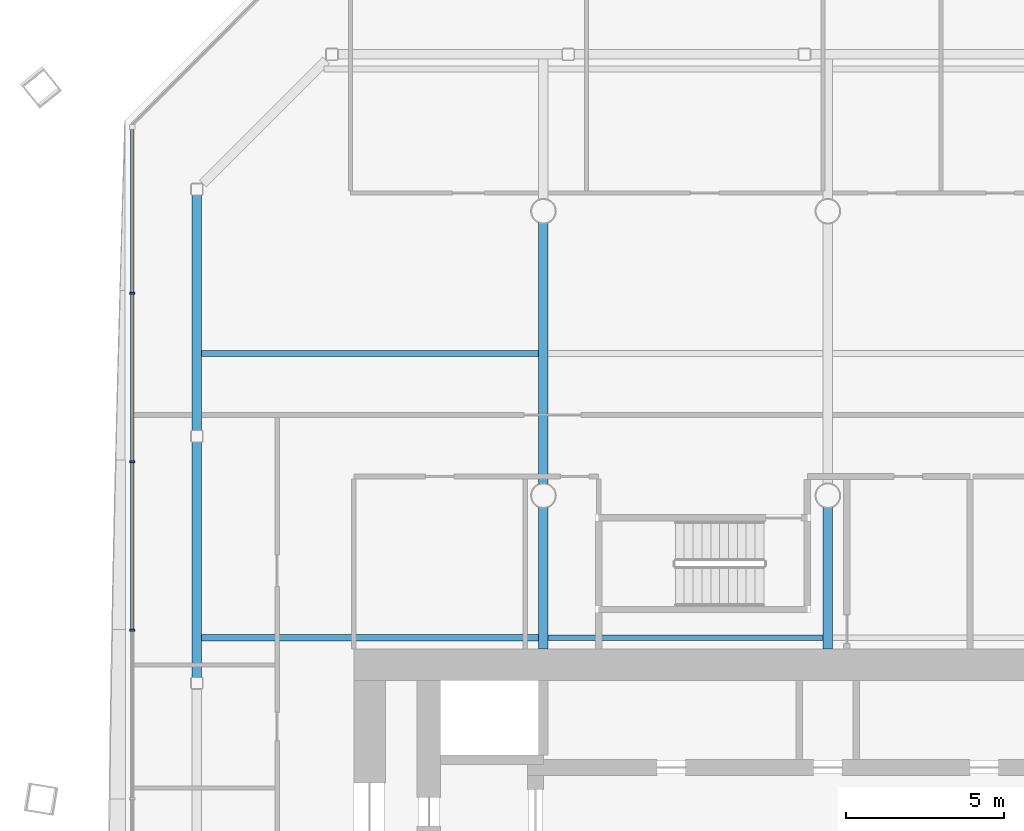
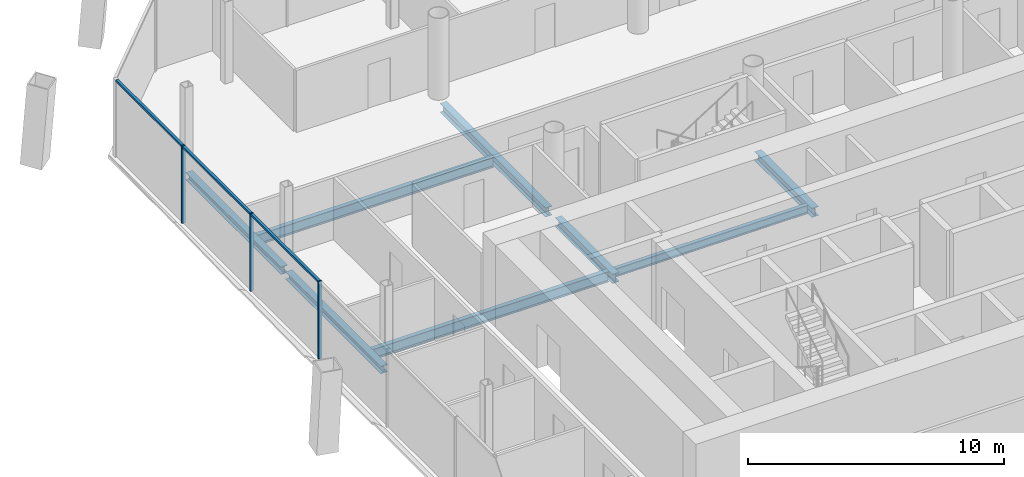
# One storey, part 6 of 19: 8 beams, 6 members, 1 element without a shape of its own.
"""IFC4 building model written with IfcOpenShell, lengths in metres."""

import ifcopenshell
import ifcopenshell.guid

model = None  # the IFC model being written
_history = None  # IfcOwnerHistory: only IFC2X3 demands one
_inside = {}  # id of a spatial element -> (the spatial element, [elements in it])
_under = {}  # id of a project, library or spatial element -> (it, [spatial elements below it])
_declared = {}  # id of a project -> (the project, [libraries it declares])
_typed = {}  # id of a type object -> (the type object, [elements of that type])
_made_of = {}  # id of a material, layer set ... -> (it, [elements and type objects made of it])


def new_model(schema):
    """Start an empty IFC model of exactly this schema.

    Asked for "IFC4X3", IfcOpenShell would pick the latest addendum, in which some entities
    have other attributes; the version numbers below select the first issue.
    IFC2X3 requires an IfcOwnerHistory on every rooted entity: one is made here for all.
    """
    global model, _history
    if schema == "IFC4X3":
        model = ifcopenshell.file(schema_version=(4, 3, 0, 0))
    else:
        model = ifcopenshell.file(schema=schema)
    _inside.clear()
    _under.clear()
    _declared.clear()
    _typed.clear()
    _made_of.clear()
    _history = None
    if model.schema == "IFC2X3":
        org = make("IfcOrganization", Name="unknown")
        user = make(
            "IfcPersonAndOrganization",
            ThePerson=make("IfcPerson", FamilyName="unknown"),
            TheOrganization=org,
        )
        app = make(
            "IfcApplication",
            ApplicationDeveloper=org,
            Version="unknown",
            ApplicationFullName="unknown",
            ApplicationIdentifier="unknown",
        )
        _history = make(
            "IfcOwnerHistory",
            OwningUser=user,
            OwningApplication=app,
            ChangeAction="ADDED",
            CreationDate=0,
        )
    return model


def make(cls, **values):
    """One entity of the class cls with the attributes given. An attribute that is None is left unset."""
    return model.create_entity(
        cls, **{name: value for name, value in values.items() if value is not None}
    )


def rooted(cls, **values):
    """An entity with a GlobalId (a new one), such as an element, a storey or a relation."""
    return make(cls, GlobalId=ifcopenshell.guid.new(), OwnerHistory=_history, **values)


def si_unit(unit_type, name, prefix=None):
    """IfcSIUnit, for example si_unit("LENGTHUNIT", "METRE", prefix="MILLI")."""
    return make("IfcSIUnit", UnitType=unit_type, Prefix=prefix, Name=name)


def assignment(units):
    """IfcUnitAssignment: the units of a project."""
    return None if units is None else make("IfcUnitAssignment", Units=units)


def point(xyz):
    """IfcCartesianPoint."""
    return None if xyz is None else make("IfcCartesianPoint", Coordinates=xyz)


def direction(xyz):
    """IfcDirection."""
    return None if xyz is None else make("IfcDirection", DirectionRatios=xyz)


def frame(location, z_axis=None, x_axis=None):
    """IfcAxis2Placement3D, a coordinate frame: its origin and axes. An axis left out is left unset."""
    return make(
        "IfcAxis2Placement3D",
        Location=point(location),
        Axis=direction(z_axis),
        RefDirection=direction(x_axis),
    )


def frame_2d(location, x_axis=None):
    """IfcAxis2Placement2D, a coordinate frame in the plane: its origin and x axis."""
    return make(
        "IfcAxis2Placement2D", Location=point(location), RefDirection=direction(x_axis)
    )


def origin():
    """The frame at (0, 0, 0) with its axes left unset."""
    return frame((0.0, 0.0, 0.0))


def origin_2d():
    """The frame at (0, 0) in the plane with its x axis left unset."""
    return frame_2d((0.0, 0.0))


def place(relative_to, where):
    """IfcLocalPlacement: puts the frame where relative to a parent placement (None: the world)."""
    return make(
        "IfcLocalPlacement", PlacementRelTo=relative_to, RelativePlacement=where
    )


def context(
    kind, dimensions, precision=None, world=None, true_north=None, identifier=None
):
    """IfcGeometricRepresentationContext, for example the 3D "Model" context."""
    return make(
        "IfcGeometricRepresentationContext",
        ContextIdentifier=identifier,
        ContextType=kind,
        CoordinateSpaceDimension=dimensions,
        Precision=precision,
        WorldCoordinateSystem=world,
        TrueNorth=true_north,
    )


def subcontext(parent, identifier, kind, view, scale=None):
    """IfcGeometricRepresentationSubContext, for example "Body" below "Model"."""
    return make(
        "IfcGeometricRepresentationSubContext",
        ContextIdentifier=identifier,
        ContextType=kind,
        ParentContext=parent,
        TargetScale=scale,
        TargetView=view,
    )


def project(units=None, contexts=None):
    """IfcProject with its units and contexts."""
    return rooted(
        "IfcProject",
        Name="project",
        RepresentationContexts=contexts,
        UnitsInContext=assignment(units),
    )


def spatial(cls, under=None, at=None, **own):
    """A site, building, storey or space (cls), placed at a placement, below another one or the project."""
    s = rooted(cls, ObjectPlacement=at, **own)
    if under is not None:
        _under.setdefault(under.id(), (under, []))[1].append(s)
    return s


def profile(cls, at=None, kind="AREA", **sizes):
    """A parametric profile (cls). Its sizes go by their IFC names, for example OverallWidth=200.0."""
    return make(cls, ProfileType=kind, Position=at, **sizes)


def rectangle(**sizes):
    """IfcRectangleProfileDef."""
    return profile("IfcRectangleProfileDef", **sizes)


def i_section(**sizes):
    """IfcIShapeProfileDef."""
    return profile("IfcIShapeProfileDef", **sizes)


def extrude(swept, where, along, depth):
    """IfcExtrudedAreaSolid: the profile swept, set in the frame where, extruded along a direction by depth."""
    return make(
        "IfcExtrudedAreaSolid",
        SweptArea=swept,
        Position=where,
        ExtrudedDirection=direction(along),
        Depth=depth,
    )


def shape(context_of_items, identifier, shape_type, items):
    """IfcShapeRepresentation: the items that make up one representation, for example the "Body"."""
    return make(
        "IfcShapeRepresentation",
        ContextOfItems=context_of_items,
        RepresentationIdentifier=identifier,
        RepresentationType=shape_type,
        Items=items,
    )


def material(Name=None, Category=None):
    """IfcMaterial."""
    return make("IfcMaterial", Name=Name, Category=Category)


def material_profile(
    of_material, cross_section, Name=None, Category=None, Priority=None
):
    """IfcMaterialProfile: a cross section and its material."""
    return make(
        "IfcMaterialProfile",
        Name=Name,
        Material=of_material,
        Profile=cross_section,
        Priority=Priority,
        Category=Category,
    )


def profile_set(profiles, Name=None, composite=None):
    """IfcMaterialProfileSet."""
    return make(
        "IfcMaterialProfileSet",
        Name=Name,
        MaterialProfiles=profiles,
        CompositeProfile=composite,
    )


def made_of(thing, what):
    """Note that an element or type object is made of a material, layer set ...; save() writes the relation."""
    if what is not None:
        _made_of.setdefault(what.id(), (what, []))[1].append(thing)
    return thing


def type_object(cls, material=None, **own):
    """A type object (cls), such as IfcWallType, which elements share."""
    return made_of(rooted(cls, **own), material)


def element(
    cls,
    number,
    at=None,
    inside=None,
    cuts=None,
    type_object=None,
    material=None,
    context=None,
    identifier="Body",
    shape_type=None,
    held_by="IfcProductDefinitionShape",
    body=None,
    shapes=None,
    **own,
):
    """One element of the class cls, such as IfcWall. Its Tag is "e" and its number.

    at: its placement. inside: the storey or other place that contains it. cuts: it is an
    opening in that element (IfcRelVoidsElement). A single representation is given by context,
    identifier, shape_type and body (its items); several are given by shapes. held_by: the class
    of the entity that holds the representations. save() writes the other relations.
    """
    e = rooted(cls, Tag="e%d" % number, ObjectPlacement=at, **own)
    if body is not None:
        shapes = [shape(context, identifier, shape_type, body)]
    if shapes is not None:
        e.Representation = make(held_by, Representations=shapes)
    if inside is not None:
        _inside.setdefault(inside.id(), (inside, []))[1].append(e)
    if cuts is not None:
        rooted(
            "IfcRelVoidsElement", RelatingBuildingElement=cuts, RelatedOpeningElement=e
        )
    if type_object is not None:
        _typed.setdefault(type_object.id(), (type_object, []))[1].append(e)
    return made_of(e, material)


def aggregate(whole, parts):
    """IfcRelAggregates: a whole, such as a stair, and the parts it consists of."""
    return rooted("IfcRelAggregates", RelatingObject=whole, RelatedObjects=parts)


def save(model, path):
    """Write the relations noted so far, then the file.

    IfcRelAggregates (storeys below a building ...), IfcRelContainedInSpatialStructure (elements
    in a storey), IfcRelDefinesByType, IfcRelAssociatesMaterial and IfcRelDeclares: one each for
    every whole, place, type object, material and project.
    """
    for whole, parts in _under.values():
        aggregate(whole, parts)
    for where, things in _inside.values():
        rooted(
            "IfcRelContainedInSpatialStructure",
            RelatedElements=things,
            RelatingStructure=where,
        )
    for kind, things in _typed.values():
        rooted("IfcRelDefinesByType", RelatedObjects=things, RelatingType=kind)
    for what, things in _made_of.values():
        rooted("IfcRelAssociatesMaterial", RelatedObjects=things, RelatingMaterial=what)
    for by, libraries in _declared.values():
        rooted("IfcRelDeclares", RelatingContext=by, RelatedDefinitions=libraries)
    model.write(path)


model = new_model("IFC4")

# Units and contexts
model_context = context("Model", 3, precision=1e-05, world=origin(), true_north=direction((0.0, 1.0)))
body_context = subcontext(model_context, "Body", "Model", "MODEL_VIEW")
ifc_project = project(units=[si_unit("LENGTHUNIT", "METRE"), si_unit("AREAUNIT", "SQUARE_METRE"), si_unit("VOLUMEUNIT", "CUBIC_METRE"), si_unit("PLANEANGLEUNIT", "RADIAN"), si_unit("MASSUNIT", "GRAM", prefix="KILO")], contexts=[model_context])

# Site, building, storey
site_placement = place(None, origin())
site = spatial("IfcSite", under=ifc_project, at=site_placement, CompositionType="ELEMENT")
building_placement = place(site_placement, origin())
building = spatial("IfcBuilding", under=site, at=building_placement, Name="Tskaro Facet Tower", CompositionType="ELEMENT")
storey_placement = place(building_placement, frame((0.0, 0.0, 77.699951171875)))
storey = spatial("IfcBuildingStorey", under=building, at=storey_placement, Name="L18", CompositionType="ELEMENT", Elevation=77.699951171875)

# Curtain wall, members
ifc_material_1 = material(Name="Bronze anodised aluminium 6063-T6", Category="aluminium")
curtain_wall_type = type_object("IfcCurtainWallType", Name="Bronze office curtain wall (FW1)", PredefinedType="NOTDEFINED", material=ifc_material_1)
curtain_wall_placement = place(storey_placement, origin())
curtain_wall = element("IfcCurtainWall", 1, at=curtain_wall_placement, inside=storey, type_object=curtain_wall_type, Name="FW1 west facet L18", PredefinedType="NOTDEFINED")
ifc_material_profile_1 = material_profile(ifc_material_1, rectangle(XDim=0.06005859375, YDim=0.159912109375, at=origin_2d()), Name="Mullion 60x160")
ifc_profile_set_1 = profile_set([ifc_material_profile_1], Name="Bronze anodised aluminium 6063-T6")
member_type_1 = type_object("IfcMemberType", Name="FW1 bronze mullion 60x160", PredefinedType="MULLION", material=ifc_profile_set_1)
member_1_placement = place(storey_placement, frame((-22.010986328125, 15.40869140625, 0.0), z_axis=(0.0, 0.0, 1.0), x_axis=(0.0, -1.0, 0.0)))
member_1 = element("IfcMember", 2, at=member_1_placement, type_object=member_type_1, Name="FW1 west mullion 1", PredefinedType="MULLION", context=body_context, shape_type="SweptSolid", body=[
    extrude(rectangle(XDim=0.06005859375, YDim=0.159912109375, at=origin_2d()), origin(), (0.0, 0.0, 1.0), 3.699951171875),
])
member_2_placement = place(storey_placement, frame((-22.010986328125, 10.0732421875, 0.0), z_axis=(0.0, 0.0, 1.0), x_axis=(0.0, -1.0, 0.0)))
member_2 = element("IfcMember", 3, at=member_2_placement, type_object=member_type_1, Name="FW1 west mullion 2", PredefinedType="MULLION", context=body_context, shape_type="SweptSolid", body=[
    extrude(rectangle(XDim=0.06005859375, YDim=0.159912109375, at=origin_2d()), origin(), (0.0, 0.0, 1.0), 3.699951171875),
])
member_3_placement = place(storey_placement, frame((-22.010986328125, 4.73779296875, 0.0), z_axis=(0.0, 0.0, 1.0), x_axis=(0.0, -1.0, 0.0)))
member_3 = element("IfcMember", 4, at=member_3_placement, type_object=member_type_1, Name="FW1 west mullion 3", PredefinedType="MULLION", context=body_context, shape_type="SweptSolid", body=[
    extrude(rectangle(XDim=0.06005859375, YDim=0.159912109375, at=origin_2d()), origin(), (0.0, 0.0, 1.0), 3.699951171875),
])
ifc_material_profile_2 = material_profile(ifc_material_1, rectangle(XDim=0.1201171875, YDim=0.10009765625, at=origin_2d()), Name="Transom 120x100")
ifc_profile_set_2 = profile_set([ifc_material_profile_2], Name="Bronze anodised aluminium 6063-T6")
member_type_2 = type_object("IfcMemberType", Name="FW1 bronze transom 120x100", PredefinedType="USERDEFINED", material=ifc_profile_set_2)
member_4_placement = place(storey_placement, frame((-22.010986328125, 20.583984375, 3.650146484375), z_axis=(0.0, -1.0, 0.0), x_axis=(1.0, 0.0, 0.0)))
member_4 = element("IfcMember", 5, at=member_4_placement, type_object=member_type_2, Name="FW1 west transom 1.1", ObjectType="TRANSOM", PredefinedType="USERDEFINED", context=body_context, shape_type="SweptSolid", body=[
    extrude(rectangle(XDim=0.1201171875, YDim=0.10009765625, at=origin_2d()), origin(), (0.0, 0.0, 1.0), 5.145263671875),
])
member_5_placement = place(storey_placement, frame((-22.010986328125, 15.378662109375, 3.650146484375), z_axis=(0.0, -1.0, 0.0), x_axis=(1.0, 0.0, 0.0)))
member_5 = element("IfcMember", 6, at=member_5_placement, type_object=member_type_2, Name="FW1 west transom 2.1", ObjectType="TRANSOM", PredefinedType="USERDEFINED", context=body_context, shape_type="SweptSolid", body=[
    extrude(rectangle(XDim=0.1201171875, YDim=0.10009765625, at=origin_2d()), origin(), (0.0, 0.0, 1.0), 5.275390625),
])
member_6_placement = place(storey_placement, frame((-22.010986328125, 10.043212890625, 3.650146484375), z_axis=(0.0, -1.0, 0.0), x_axis=(1.0, 0.0, 0.0)))
member_6 = element("IfcMember", 7, at=member_6_placement, type_object=member_type_2, Name="FW1 west transom 3.1", ObjectType="TRANSOM", PredefinedType="USERDEFINED", context=body_context, shape_type="SweptSolid", body=[
    extrude(rectangle(XDim=0.1201171875, YDim=0.10009765625, at=origin_2d()), origin(), (0.0, 0.0, 1.0), 5.275390625),
])
aggregate(curtain_wall, [member_1, member_2, member_3, member_4, member_5, member_6])

# Beams
ifc_material_2 = material(Name="Steel S355J2", Category="steel")
ifc_material_profile_3 = material_profile(ifc_material_2, i_section(OverallWidth=0.300048828125, OverallDepth=0.360107421875, WebThickness=0.012451171875, FlangeThickness=0.0224609375, FilletRadius=0.027099609375, at=origin_2d()), Name="HE 360 B")
ifc_profile_set_3 = profile_set([ifc_material_profile_3], Name="Steel S355J2")
beam_type_1 = type_object("IfcBeamType", Name="HE 360 B ring beam", PredefinedType="BEAM", material=ifc_profile_set_3)
for number, where, z_axis, x_axis, name in (
    (8, (-19.965087890625, 18.510009765625, -0.320068359375), (0.0, -1.0, 0.0), (1.0, 0.0, 0.0), "HE 360 B EB19-2"),
    (9, (-19.965087890625, 10.698974609375, -0.320068359375), (0.0, -1.0, 0.0), (1.0, 0.0, 0.0), "HE 360 B EB20-2"),
):
    element("IfcBeam", number, at=place(storey_placement, frame(where, z_axis=z_axis, x_axis=x_axis)), inside=storey, type_object=beam_type_1, Name=name, PredefinedType="BEAM", context=body_context, shape_type="SweptSolid", body=[
        extrude(i_section(OverallWidth=0.300048828125, OverallDepth=0.360107421875, WebThickness=0.012451171875, FlangeThickness=0.0224609375, FilletRadius=0.027099609375, at=origin_2d()), origin(), (0.0, 0.0, 1.0), 7.450927734375),
    ])
ifc_material_profile_4 = material_profile(ifc_material_2, i_section(OverallWidth=0.300048828125, OverallDepth=0.43994140625, WebThickness=0.011474609375, FlangeThickness=0.02099609375, FilletRadius=0.027099609375, at=origin_2d()), Name="HE 450 A")
ifc_profile_set_4 = profile_set([ifc_material_profile_4], Name="Steel S355J2")
beam_type_2 = type_object("IfcBeamType", Name="HE 450 A girder", PredefinedType="BEAM", material=ifc_profile_set_4)
beam_1_placement = place(storey_placement, frame((-9.0, 4.14990234375, -0.35986328125), z_axis=(0.0, 1.0, 0.0), x_axis=(-1.0, 0.0, 0.0)))
element("IfcBeam", 10, at=beam_1_placement, inside=storey, type_object=beam_type_2, Name="HE 450 A GB3-3-2", PredefinedType="BEAM", context=body_context, shape_type="SweptSolid", body=[
    extrude(i_section(OverallWidth=0.300048828125, OverallDepth=0.43994140625, WebThickness=0.011474609375, FlangeThickness=0.02099609375, FilletRadius=0.027099609375, at=origin_2d()), origin(), (0.0, 0.0, 1.0), 4.4736328125),
])
beam_2_placement = place(storey_placement, frame((-9.0, 9.37646484375, -0.35986328125), z_axis=(0.0, 1.0, 0.0), x_axis=(-1.0, 0.0, 0.0)))
element("IfcBeam", 11, at=beam_2_placement, inside=storey, type_object=beam_type_2, Name="HE 450 A GB3-4-2", PredefinedType="BEAM", context=body_context, shape_type="SweptSolid", body=[
    extrude(i_section(OverallWidth=0.300048828125, OverallDepth=0.43994140625, WebThickness=0.011474609375, FlangeThickness=0.02099609375, FilletRadius=0.027099609375, at=origin_2d()), origin(), (0.0, 0.0, 1.0), 8.2470703125),
])
beam_3_placement = place(storey_placement, frame((0.0, 4.14990234375, -0.35986328125), z_axis=(0.0, 1.0, 0.0), x_axis=(-1.0, 0.0, 0.0)))
element("IfcBeam", 12, at=beam_3_placement, inside=storey, type_object=beam_type_2, Name="HE 450 A GB4-3-2", PredefinedType="BEAM", context=body_context, shape_type="SweptSolid", body=[
    extrude(i_section(OverallWidth=0.300048828125, OverallDepth=0.43994140625, WebThickness=0.011474609375, FlangeThickness=0.02099609375, FilletRadius=0.027099609375, at=origin_2d()), origin(), (0.0, 0.0, 1.0), 4.4736328125),
])
ifc_material_profile_5 = material_profile(ifc_material_2, i_section(OverallWidth=0.179931640625, OverallDepth=0.39990234375, WebThickness=0.008544921875, FlangeThickness=0.013427734375, FilletRadius=0.02099609375, at=origin_2d()), Name="IPE 400")
ifc_profile_set_5 = profile_set([ifc_material_profile_5], Name="Steel S355J2")
beam_type_3 = type_object("IfcBeamType", Name="IPE 400 secondary beam", PredefinedType="BEAM", material=ifc_profile_set_5)
beam_4_placement = place(storey_placement, frame((-8.85009765625, 4.5, -0.33984375), z_axis=(1.0, 0.0, 0.0), x_axis=(0.0, 1.0, 0.0)))
element("IfcBeam", 13, at=beam_4_placement, inside=storey, type_object=beam_type_3, Name="IPE 400 SB4a-2-2", PredefinedType="BEAM", context=body_context, shape_type="SweptSolid", body=[
    extrude(i_section(OverallWidth=0.179931640625, OverallDepth=0.39990234375, WebThickness=0.008544921875, FlangeThickness=0.013427734375, FilletRadius=0.02099609375, at=origin_2d()), origin(), (0.0, 0.0, 1.0), 8.7001953125),
])
ifc_material_profile_6 = material_profile(ifc_material_2, i_section(OverallWidth=0.199951171875, OverallDepth=0.5, WebThickness=0.01025390625, FlangeThickness=0.01611328125, FilletRadius=0.02099609375, at=origin_2d()), Name="IPE 500")
ifc_profile_set_6 = profile_set([ifc_material_profile_6], Name="Steel S355J2")
beam_type_4 = type_object("IfcBeamType", Name="IPE 500 long secondary beam", PredefinedType="BEAM", material=ifc_profile_set_6)
for number, where, z_axis, x_axis, name in (
    (14, (-19.81494140625, 4.5, -0.389892578125), (1.0, 0.0, 0.0), (0.0, 1.0, 0.0), "IPE 500 LSB4a-1-2"),
    (15, (-19.81494140625, 13.5, -0.389892578125), (1.0, 0.0, 0.0), (0.0, 1.0, 0.0), "IPE 500 LSB5a-1-2"),
):
    element("IfcBeam", number, at=place(storey_placement, frame(where, z_axis=z_axis, x_axis=x_axis)), inside=storey, type_object=beam_type_4, Name=name, PredefinedType="BEAM", context=body_context, shape_type="SweptSolid", body=[
        extrude(i_section(OverallWidth=0.199951171875, OverallDepth=0.5, WebThickness=0.01025390625, FlangeThickness=0.01611328125, FilletRadius=0.02099609375, at=origin_2d()), origin(), (0.0, 0.0, 1.0), 10.6650390625),
    ])

save(model, "model.ifc")
